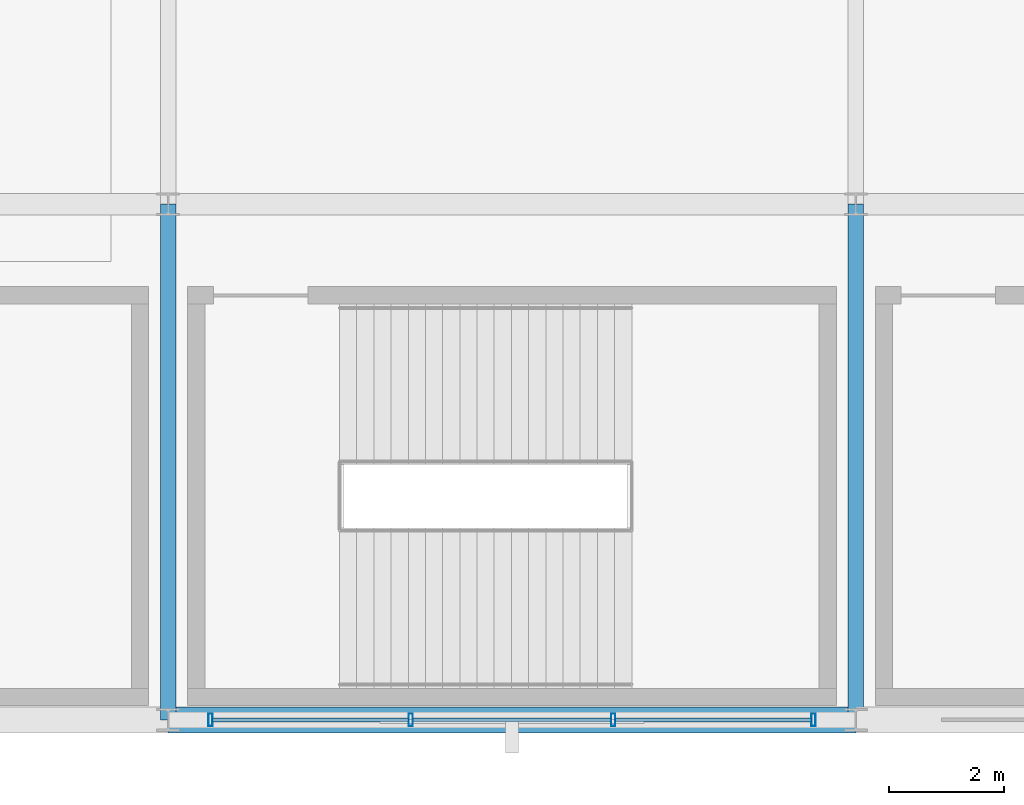
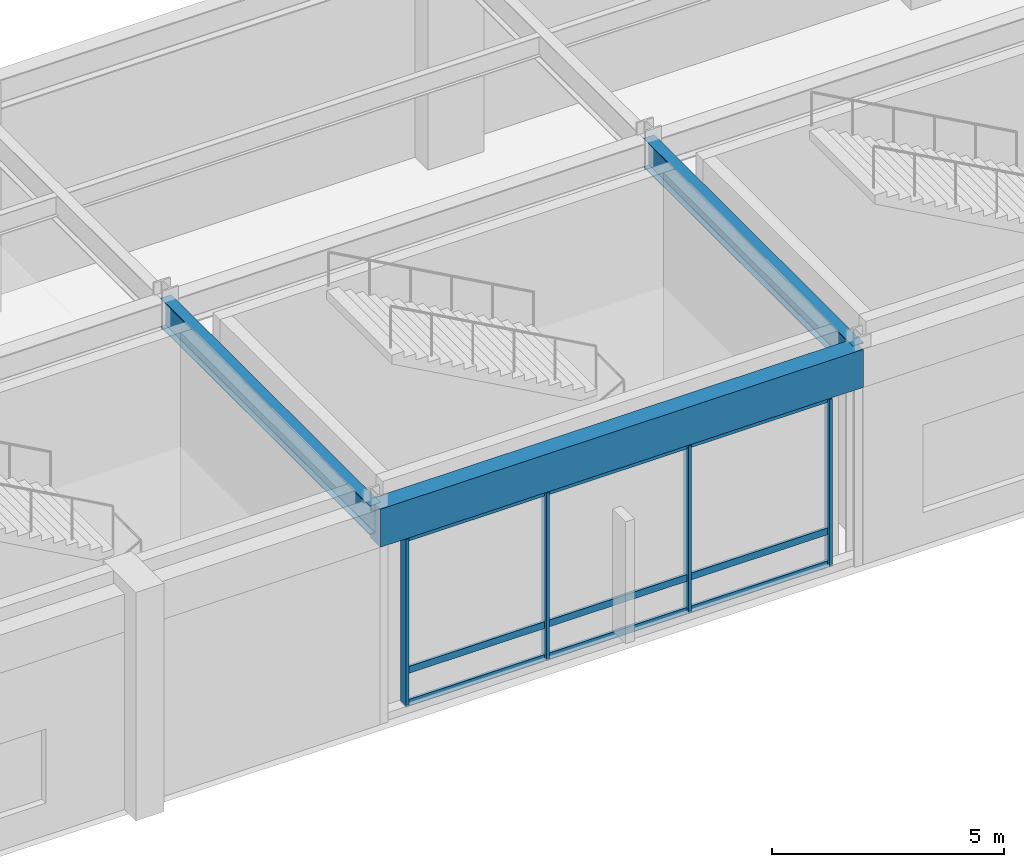
# One storey, part 22 of 105: 13 members, 3 beams, 1 element without a shape of its own.
"""IFC4 building model written with IfcOpenShell, lengths in metres."""

from ifc_helpers import new_model, si_unit, direction, frame, origin, origin_2d, place, context, subcontext, project, spatial, rectangle, hollow_rectangle, i_section, extrude, material, material_profile, profile_set, type_object, element, aggregate, save


model = new_model("IFC4")

# Units and contexts
model_context = context("Model", 3, precision=1e-05, world=origin(), true_north=direction((0.0, 1.0)))
body_context = subcontext(model_context, "Body", "Model", "MODEL_VIEW")
ifc_project = project(units=[si_unit("LENGTHUNIT", "METRE"), si_unit("AREAUNIT", "SQUARE_METRE"), si_unit("VOLUMEUNIT", "CUBIC_METRE"), si_unit("PLANEANGLEUNIT", "RADIAN"), si_unit("MASSUNIT", "GRAM", prefix="KILO")], contexts=[model_context])

# Site, building, storey
site_placement = place(None, origin())
site = spatial("IfcSite", under=ifc_project, at=site_placement, CompositionType="ELEMENT")
building_placement = place(site_placement, origin())
building = spatial("IfcBuilding", under=site, at=building_placement, Name="Kaldorvane Square Convention Centre", CompositionType="ELEMENT")
storey_placement = place(building_placement, frame((0.0, 0.0, 6.0)))
storey = spatial("IfcBuildingStorey", under=building, at=storey_placement, Name="L01", CompositionType="ELEMENT", Elevation=6.0)

# Beams
ifc_material_1 = material(Name="Steel ASTM A992 Gr. 50", Category="steel")
ifc_material_profile_1 = material_profile(ifc_material_1, i_section(OverallWidth=0.2666015625, OverallDepth=0.762298583984375, WebThickness=0.014404296875, FlangeThickness=0.0216064453125, FilletRadius=0.0164947509765625, at=origin_2d()), Name="W30X116")
ifc_profile_set_1 = profile_set([ifc_material_profile_1], Name="Steel ASTM A992 Gr. 50")
beam_type_1 = type_object("IfcBeamType", Name="BM-GR-W30X116", PredefinedType="BEAM", material=ifc_profile_set_1)
for number, where, z_axis, x_axis, name in (
    (1, (66.0, 0.0, 5.2949066162109375), (0.0, 1.0, 0.0), (-1.0, 0.0, 0.0), "Transverse Girder (L01)"),
    (2, (78.0, 0.0, 5.2949066162109375), (0.0, 1.0, 0.0), (-1.0, 0.0, 0.0), "Transverse Girder (L01)"),
):
    element("IfcBeam", number, at=place(storey_placement, frame(where, z_axis=z_axis, x_axis=x_axis)), inside=storey, type_object=beam_type_1, Name=name, PredefinedType="BEAM", context=body_context, shape_type="SweptSolid", body=[
        extrude(i_section(OverallWidth=0.2666015625, OverallDepth=0.762298583984375, WebThickness=0.014404296875, FlangeThickness=0.0216064453125, FilletRadius=0.0164947509765625, at=origin_2d()), origin(), (0.0, 0.0, 1.0), 9.0),
    ])
ifc_material_2 = material(Name="Concrete f'c = 42 MPa (Normalweight)", Category="concrete")
ifc_material_profile_2 = material_profile(ifc_material_2, rectangle(XDim=0.4499969482421875, YDim=1.0, at=origin_2d()), Name="RCSP1000X450")
ifc_profile_set_2 = profile_set([ifc_material_profile_2], Name="Concrete f'c = 42 MPa (Normalweight)")
beam_type_2 = type_object("IfcBeamType", Name="BM-SP-RC1000", PredefinedType="SPANDREL", material=ifc_profile_set_2)
beam_placement = place(storey_placement, frame((66.0, 0.0, 5.175994873046875), z_axis=(1.0, 0.0, 0.0), x_axis=(0.0, 1.0, 0.0)))
element("IfcBeam", 3, at=beam_placement, inside=storey, type_object=beam_type_2, Name="Perimeter Spandrel (L01)", PredefinedType="SPANDREL", context=body_context, shape_type="SweptSolid", body=[
    extrude(rectangle(XDim=0.4499969482421875, YDim=1.0, at=origin_2d()), origin(), (0.0, 0.0, 1.0), 12.0),
])

# Curtain wall, members
ifc_material_3 = material(Name="Anodized Aluminum and Low-E Insulated Glazing", Category="aluminium")
curtain_wall_type = type_object("IfcCurtainWallType", Name="CW-UNI-P60-12", PredefinedType="USERDEFINED", material=ifc_material_3)
curtain_wall_placement = place(storey_placement, origin())
curtain_wall = element("IfcCurtainWall", 4, at=curtain_wall_placement, inside=storey, type_object=curtain_wall_type, Name="Curtain Wall CW-01 (L01)", ObjectType="UNITISED GLAZING", PredefinedType="USERDEFINED")
ifc_material_profile_3 = material_profile(ifc_material_3, hollow_rectangle(XDim=0.0749969482421875, YDim=0.220001220703125, WallThickness=0.003997802734375, at=origin_2d()), Name="CWM-220X75")
ifc_profile_set_3 = profile_set([ifc_material_profile_3], Name="Anodized Aluminum and Low-E Insulated Glazing")
member_type_1 = type_object("IfcMemberType", Name="CW-MUL-220", PredefinedType="MULLION", material=ifc_profile_set_3)
member_1_placement = place(storey_placement, frame((66.73750305175781, 0.0, 0.149993896484375), z_axis=(0.0, 0.0, 1.0), x_axis=(1.0, 0.0, 0.0)))
member_1 = element("IfcMember", 5, at=member_1_placement, type_object=member_type_1, Name="CW-01 mullion 1", PredefinedType="MULLION", context=body_context, shape_type="SweptSolid", body=[
    extrude(hollow_rectangle(XDim=0.0749969482421875, YDim=0.220001220703125, WallThickness=0.003997802734375, at=origin_2d()), origin(), (0.0, 0.0, 1.0), 4.410003662109375),
])
member_2_placement = place(storey_placement, frame((70.23333740234375, 0.0, 0.149993896484375), z_axis=(0.0, 0.0, 1.0), x_axis=(1.0, 0.0, 0.0)))
member_2 = element("IfcMember", 6, at=member_2_placement, type_object=member_type_1, Name="CW-01 mullion 2", PredefinedType="MULLION", context=body_context, shape_type="SweptSolid", body=[
    extrude(hollow_rectangle(XDim=0.0749969482421875, YDim=0.220001220703125, WallThickness=0.003997802734375, at=origin_2d()), origin(), (0.0, 0.0, 1.0), 4.410003662109375),
])
member_3_placement = place(storey_placement, frame((73.76666259765625, 0.0, 0.149993896484375), z_axis=(0.0, 0.0, 1.0), x_axis=(1.0, 0.0, 0.0)))
member_3 = element("IfcMember", 7, at=member_3_placement, type_object=member_type_1, Name="CW-01 mullion 3", PredefinedType="MULLION", context=body_context, shape_type="SweptSolid", body=[
    extrude(hollow_rectangle(XDim=0.0749969482421875, YDim=0.220001220703125, WallThickness=0.003997802734375, at=origin_2d()), origin(), (0.0, 0.0, 1.0), 4.410003662109375),
])
member_4_placement = place(storey_placement, frame((77.26249694824219, 0.0, 0.149993896484375), z_axis=(0.0, 0.0, 1.0), x_axis=(1.0, 0.0, 0.0)))
member_4 = element("IfcMember", 8, at=member_4_placement, type_object=member_type_1, Name="CW-01 mullion 4", PredefinedType="MULLION", context=body_context, shape_type="SweptSolid", body=[
    extrude(hollow_rectangle(XDim=0.0749969482421875, YDim=0.220001220703125, WallThickness=0.003997802734375, at=origin_2d()), origin(), (0.0, 0.0, 1.0), 4.410003662109375),
])
ifc_material_profile_4 = material_profile(ifc_material_3, hollow_rectangle(XDim=0.06500244140625, YDim=0.17999267578125, WallThickness=0.0034942626953125, at=origin_2d()), Name="CWT-180X65")
ifc_profile_set_4 = profile_set([ifc_material_profile_4], Name="Anodized Aluminum and Low-E Insulated Glazing")
member_type_2 = type_object("IfcMemberType", Name="CW-TRN-180", PredefinedType="USERDEFINED", material=ifc_profile_set_4)
member_5_placement = place(storey_placement, frame((66.77499389648438, 0.0, 0.1824951171875), z_axis=(1.0, 0.0, 0.0), x_axis=(0.0, 1.0, 0.0)))
member_5 = element("IfcMember", 9, at=member_5_placement, type_object=member_type_2, Name="CW-01 transom 1.1", ObjectType="TRANSOM", PredefinedType="USERDEFINED", context=body_context, shape_type="SweptSolid", body=[
    extrude(hollow_rectangle(XDim=0.06500244140625, YDim=0.17999267578125, WallThickness=0.0034942626953125, at=origin_2d()), origin(), (0.0, 0.0, 1.0), 3.42083740234375),
])
member_6_placement = place(storey_placement, frame((66.77499389648438, 0.0, 1.0500030517578125), z_axis=(1.0, 0.0, 0.0), x_axis=(0.0, 1.0, 0.0)))
member_6 = element("IfcMember", 10, at=member_6_placement, type_object=member_type_2, Name="CW-01 transom 1.2", ObjectType="TRANSOM", PredefinedType="USERDEFINED", context=body_context, shape_type="SweptSolid", body=[
    extrude(hollow_rectangle(XDim=0.06500244140625, YDim=0.17999267578125, WallThickness=0.0034942626953125, at=origin_2d()), origin(), (0.0, 0.0, 1.0), 3.42083740234375),
])
member_7_placement = place(storey_placement, frame((66.77499389648438, 0.0, 4.527496337890625), z_axis=(1.0, 0.0, 0.0), x_axis=(0.0, 1.0, 0.0)))
member_7 = element("IfcMember", 11, at=member_7_placement, type_object=member_type_2, Name="CW-01 transom 1.3", ObjectType="TRANSOM", PredefinedType="USERDEFINED", context=body_context, shape_type="SweptSolid", body=[
    extrude(hollow_rectangle(XDim=0.06500244140625, YDim=0.17999267578125, WallThickness=0.0034942626953125, at=origin_2d()), origin(), (0.0, 0.0, 1.0), 3.42083740234375),
])
member_8_placement = place(storey_placement, frame((70.27082824707031, 0.0, 0.1824951171875), z_axis=(1.0, 0.0, 0.0), x_axis=(0.0, 1.0, 0.0)))
member_8 = element("IfcMember", 12, at=member_8_placement, type_object=member_type_2, Name="CW-01 transom 2.1", ObjectType="TRANSOM", PredefinedType="USERDEFINED", context=body_context, shape_type="SweptSolid", body=[
    extrude(hollow_rectangle(XDim=0.06500244140625, YDim=0.17999267578125, WallThickness=0.0034942626953125, at=origin_2d()), origin(), (0.0, 0.0, 1.0), 3.458343505859375),
])
member_9_placement = place(storey_placement, frame((70.27082824707031, 0.0, 1.0500030517578125), z_axis=(1.0, 0.0, 0.0), x_axis=(0.0, 1.0, 0.0)))
member_9 = element("IfcMember", 13, at=member_9_placement, type_object=member_type_2, Name="CW-01 transom 2.2", ObjectType="TRANSOM", PredefinedType="USERDEFINED", context=body_context, shape_type="SweptSolid", body=[
    extrude(hollow_rectangle(XDim=0.06500244140625, YDim=0.17999267578125, WallThickness=0.0034942626953125, at=origin_2d()), origin(), (0.0, 0.0, 1.0), 3.458343505859375),
])
member_10_placement = place(storey_placement, frame((70.27082824707031, 0.0, 4.527496337890625), z_axis=(1.0, 0.0, 0.0), x_axis=(0.0, 1.0, 0.0)))
member_10 = element("IfcMember", 14, at=member_10_placement, type_object=member_type_2, Name="CW-01 transom 2.3", ObjectType="TRANSOM", PredefinedType="USERDEFINED", context=body_context, shape_type="SweptSolid", body=[
    extrude(hollow_rectangle(XDim=0.06500244140625, YDim=0.17999267578125, WallThickness=0.0034942626953125, at=origin_2d()), origin(), (0.0, 0.0, 1.0), 3.458343505859375),
])
member_11_placement = place(storey_placement, frame((73.80416870117188, 0.0, 0.1824951171875), z_axis=(1.0, 0.0, 0.0), x_axis=(0.0, 1.0, 0.0)))
member_11 = element("IfcMember", 15, at=member_11_placement, type_object=member_type_2, Name="CW-01 transom 3.1", ObjectType="TRANSOM", PredefinedType="USERDEFINED", context=body_context, shape_type="SweptSolid", body=[
    extrude(hollow_rectangle(XDim=0.06500244140625, YDim=0.17999267578125, WallThickness=0.0034942626953125, at=origin_2d()), origin(), (0.0, 0.0, 1.0), 3.42083740234375),
])
member_12_placement = place(storey_placement, frame((73.80416870117188, 0.0, 1.0500030517578125), z_axis=(1.0, 0.0, 0.0), x_axis=(0.0, 1.0, 0.0)))
member_12 = element("IfcMember", 16, at=member_12_placement, type_object=member_type_2, Name="CW-01 transom 3.2", ObjectType="TRANSOM", PredefinedType="USERDEFINED", context=body_context, shape_type="SweptSolid", body=[
    extrude(hollow_rectangle(XDim=0.06500244140625, YDim=0.17999267578125, WallThickness=0.0034942626953125, at=origin_2d()), origin(), (0.0, 0.0, 1.0), 3.42083740234375),
])
member_13_placement = place(storey_placement, frame((73.80416870117188, 0.0, 4.527496337890625), z_axis=(1.0, 0.0, 0.0), x_axis=(0.0, 1.0, 0.0)))
member_13 = element("IfcMember", 17, at=member_13_placement, type_object=member_type_2, Name="CW-01 transom 3.3", ObjectType="TRANSOM", PredefinedType="USERDEFINED", context=body_context, shape_type="SweptSolid", body=[
    extrude(hollow_rectangle(XDim=0.06500244140625, YDim=0.17999267578125, WallThickness=0.0034942626953125, at=origin_2d()), origin(), (0.0, 0.0, 1.0), 3.42083740234375),
])
aggregate(curtain_wall, [member_1, member_2, member_3, member_4, member_5, member_6, member_7, member_8, member_9, member_10, member_11, member_12, member_13])

save(model, "model.ifc")
